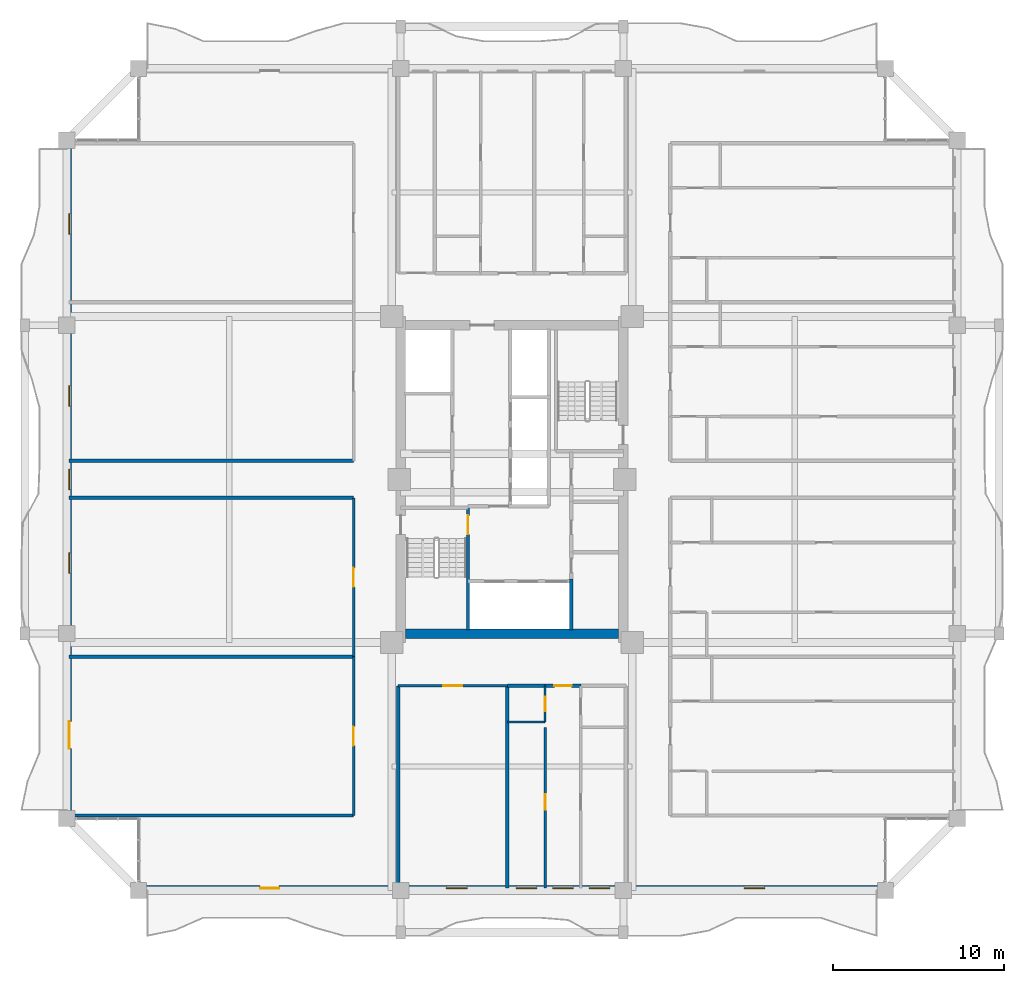
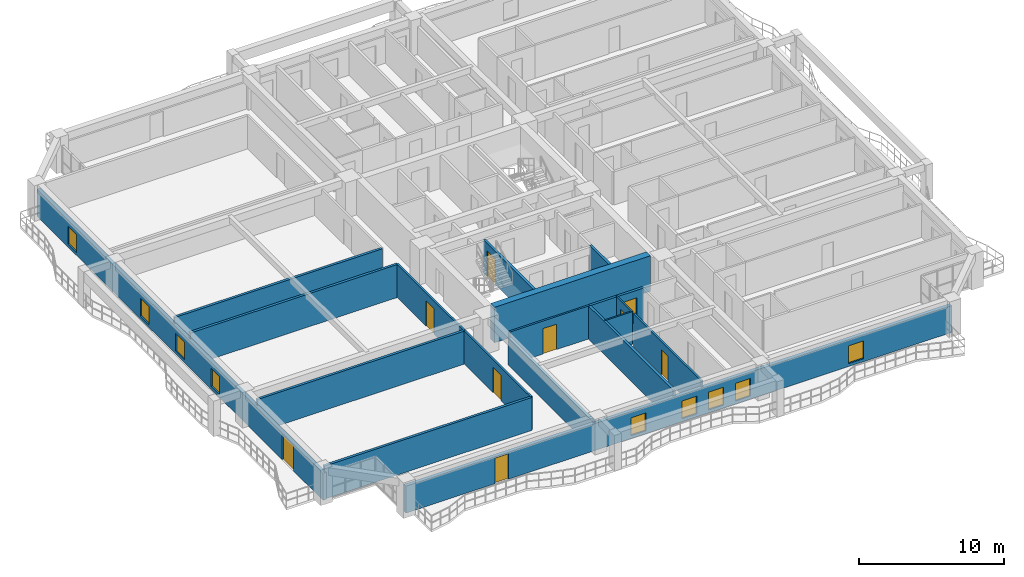
# One storey, part 14 of 24: 19 walls, 9 doors, 9 windows, 18 openings.
"""IFC4 building model written with IfcOpenShell, lengths in metres."""

from ifc_helpers import new_model, si_unit, direction, frame, frame_2d, origin, place, context, subcontext, project, spatial, rectangle, extrude, source, transform, mapped, material, layer, layer_set, type_object, element, fill, save


model = new_model("IFC4")

# Units and contexts
model_context = context("Model", 3, precision=1e-05, world=origin(), true_north=direction((0.0, 1.0)))
body_context = subcontext(model_context, "Body", "Model", "MODEL_VIEW")
ifc_project = project(units=[si_unit("LENGTHUNIT", "METRE"), si_unit("AREAUNIT", "SQUARE_METRE"), si_unit("VOLUMEUNIT", "CUBIC_METRE"), si_unit("PLANEANGLEUNIT", "RADIAN"), si_unit("MASSUNIT", "GRAM", prefix="KILO")], contexts=[model_context])

# Site, building, storey
site_placement = place(None, origin())
site = spatial("IfcSite", under=ifc_project, at=site_placement, CompositionType="ELEMENT")
building_placement = place(site_placement, origin())
building = spatial("IfcBuilding", under=site, at=building_placement, Name="Saelheon Loggia Tower", CompositionType="ELEMENT")
storey_placement = place(building_placement, frame((0.0, 0.0, 98.85009765625)))
storey = spatial("IfcBuildingStorey", under=building, at=storey_placement, Name="L31", CompositionType="ELEMENT", Elevation=98.85009765625)

# Wall
ifc_material_1 = material(Name="Concrete C50/60", Category="concrete")
ifc_layer_1 = layer(ifc_material_1, 0.550048828125)
ifc_layer_set_1 = layer_set([ifc_layer_1], Name="Concrete C50/60")
wall_type_1 = type_object("IfcWallType", Name="Wall_CoreShear_550", PredefinedType="SHEAR", material=ifc_layer_set_1)
wall_1_placement = place(storey_placement, frame((31.77490234375, 18.0, 0.0), z_axis=(0.0, 0.0, 1.0), x_axis=(1.0, 0.0, 0.0)))
element("IfcWall", 1, at=wall_1_placement, inside=storey, type_object=wall_type_1, Name="L31 Core Shear Wall South", PredefinedType="SHEAR", context=body_context, shape_type="SweptSolid", body=[
    extrude(rectangle(XDim=12.4501953125, YDim=0.550048828125, at=frame_2d((6.22509765625, 0.0))), origin(), (0.0, 0.0, 1.0), 3.0),
])

# Wall, openings, windows, door
ifc_material_2 = material(Name="Architectural Precast Concrete C40/50", Category="concrete")
ifc_layer_2 = layer(ifc_material_2, 0.280029296875)
ifc_layer_set_2 = layer_set([ifc_layer_2], Name="Architectural Precast Concrete C40/50")
wall_type_2 = type_object("IfcWallType", Name="Wall_Ext_Loggia_280", PredefinedType="SOLIDWALL", material=ifc_layer_set_2)
wall_2_placement = place(storey_placement, frame((16.199951171875, 3.139892578125, 0.0), z_axis=(0.0, 0.0, 1.0), x_axis=(1.0, 0.0, 0.0)))
wall_2 = element("IfcWall", 2, at=wall_2_placement, inside=storey, type_object=wall_type_2, Name="L31 South Loggia Inner Wall", PredefinedType="SOLIDWALL", context=body_context, shape_type="SweptSolid", body=[
    extrude(rectangle(XDim=43.60009765625, YDim=0.280029296875, at=frame_2d((21.800048828125, 0.0))), origin(), (0.0, 0.0, 1.0), 2.27978515625),
])
opening_1_placement = place(wall_2_placement, frame((8.2001953125, 0.0, 0.0), z_axis=(0.0, 0.0, 1.0), x_axis=(-1.0, 0.0, 0.0)))
opening_1 = element("IfcOpeningElement", 3, at=opening_1_placement, cuts=wall_2, Name="Opening TD1", PredefinedType="OPENING", context=body_context, shape_type="SweptSolid", body=[
    extrude(rectangle(XDim=1.10009765625, YDim=2.14990234375, at=frame_2d((0.550048828125, 1.074951171875))), frame((0.0, 0.152099609375, 0.0), z_axis=(0.0, -1.0, 0.0), x_axis=(1.0, 0.0, 0.0)), (0.0, 0.0, 1.0), 0.303955078125),
])
opening_2_placement = place(wall_2_placement, frame((17.974609375, 0.0, 0.25)))
opening_2 = element("IfcOpeningElement", 4, at=opening_2_placement, cuts=wall_2, Name="Opening WN-03", PredefinedType="OPENING", context=body_context, shape_type="SweptSolid", body=[
    extrude(rectangle(XDim=1.199951171875, YDim=1.5, at=frame_2d((0.60009765625, 0.75))), frame((0.0, 0.152099609375, 0.0), z_axis=(0.0, -1.0, 0.0), x_axis=(1.0, 0.0, 0.0)), (0.0, 0.0, 1.0), 0.303955078125),
])
opening_3_placement = place(wall_2_placement, frame((22.033935546875, 0.0, 0.25)))
opening_3 = element("IfcOpeningElement", 5, at=opening_3_placement, cuts=wall_2, Name="Opening WN-03", PredefinedType="OPENING", context=body_context, shape_type="SweptSolid", body=[
    extrude(rectangle(XDim=1.199951171875, YDim=1.5, at=frame_2d((0.60009765625, 0.75))), frame((0.0, 0.152099609375, 0.0), z_axis=(0.0, -1.0, 0.0), x_axis=(1.0, 0.0, 0.0)), (0.0, 0.0, 1.0), 0.303955078125),
])
opening_4_placement = place(wall_2_placement, frame((24.177978515625, 0.0, 0.25)))
opening_4 = element("IfcOpeningElement", 6, at=opening_4_placement, cuts=wall_2, Name="Opening WN-03", PredefinedType="OPENING", context=body_context, shape_type="SweptSolid", body=[
    extrude(rectangle(XDim=1.199951171875, YDim=1.5, at=frame_2d((0.60009765625, 0.75))), frame((0.0, 0.152099609375, 0.0), z_axis=(0.0, -1.0, 0.0), x_axis=(1.0, 0.0, 0.0)), (0.0, 0.0, 1.0), 0.303955078125),
])
opening_5_placement = place(wall_2_placement, frame((26.303466796875, 0.0, 0.25)))
opening_5 = element("IfcOpeningElement", 7, at=opening_5_placement, cuts=wall_2, Name="Opening WN-03", PredefinedType="OPENING", context=body_context, shape_type="SweptSolid", body=[
    extrude(rectangle(XDim=1.199951171875, YDim=1.5, at=frame_2d((0.60009765625, 0.75))), frame((0.0, 0.152099609375, 0.0), z_axis=(0.0, -1.0, 0.0), x_axis=(1.0, 0.0, 0.0)), (0.0, 0.0, 1.0), 0.303955078125),
])
opening_6_placement = place(wall_2_placement, frame((35.35009765625, 0.0, 0.25)))
opening_6 = element("IfcOpeningElement", 8, at=opening_6_placement, cuts=wall_2, Name="Opening WN-03", PredefinedType="OPENING", context=body_context, shape_type="SweptSolid", body=[
    extrude(rectangle(XDim=1.199951171875, YDim=1.5, at=frame_2d((0.60009765625, 0.75))), frame((0.0, 0.152099609375, 0.0), z_axis=(0.0, -1.0, 0.0), x_axis=(1.0, 0.0, 0.0)), (0.0, 0.0, 1.0), 0.303955078125),
])
ifc_material_3 = material(Name="Thermal-Break Aluminium and Triple Low-E Glass", Category="aluminium")
window_type = type_object("IfcWindowType", Name="Win_Bedroom_1200x1500", PartitioningType="SINGLE_PANEL", PredefinedType="WINDOW", material=ifc_material_3)
shared_shape_1 = source(origin(), body_context, "Body", "SweptSolid", [
    extrude(rectangle(XDim=1.199951171875, YDim=1.5, at=frame_2d((0.60009765625, 0.75))), frame((0.0, 0.030029296875, 0.0), z_axis=(0.0, -1.0, 0.0), x_axis=(1.0, 0.0, 0.0)), (0.0, 0.0, 1.0), 0.06005859375),
])
window_1_placement = place(opening_2_placement, origin())
window_1 = element("IfcWindow", 9, at=window_1_placement, inside=storey, type_object=window_type, Name="L31 S Dwelling Window 2", OverallHeight=1.5, OverallWidth=1.199951171875, PartitioningType="SINGLE_PANEL", PredefinedType="WINDOW", context=body_context, shape_type="MappedRepresentation", body=[
    mapped(shared_shape_1, transform((0.0, 0.0, 0.0), scale=1.0)),
])
fill(opening_2, window_1)
window_2_placement = place(opening_3_placement, origin())
window_2 = element("IfcWindow", 10, at=window_2_placement, inside=storey, type_object=window_type, Name="L31 S Dwelling Window 3", OverallHeight=1.5, OverallWidth=1.199951171875, PartitioningType="SINGLE_PANEL", PredefinedType="WINDOW", context=body_context, shape_type="MappedRepresentation", body=[
    mapped(shared_shape_1, transform((0.0, 0.0, 0.0), scale=1.0)),
])
fill(opening_3, window_2)
window_3_placement = place(opening_4_placement, origin())
window_3 = element("IfcWindow", 11, at=window_3_placement, inside=storey, type_object=window_type, Name="L31 S Dwelling Window 4", OverallHeight=1.5, OverallWidth=1.199951171875, PartitioningType="SINGLE_PANEL", PredefinedType="WINDOW", context=body_context, shape_type="MappedRepresentation", body=[
    mapped(shared_shape_1, transform((0.0, 0.0, 0.0), scale=1.0)),
])
fill(opening_4, window_3)
window_4_placement = place(opening_5_placement, origin())
window_4 = element("IfcWindow", 12, at=window_4_placement, inside=storey, type_object=window_type, Name="L31 S Dwelling Window 5", OverallHeight=1.5, OverallWidth=1.199951171875, PartitioningType="SINGLE_PANEL", PredefinedType="WINDOW", context=body_context, shape_type="MappedRepresentation", body=[
    mapped(shared_shape_1, transform((0.0, 0.0, 0.0), scale=1.0)),
])
fill(opening_5, window_4)
window_5_placement = place(opening_6_placement, origin())
window_5 = element("IfcWindow", 13, at=window_5_placement, inside=storey, type_object=window_type, Name="L31 S Dwelling Window 6", OverallHeight=1.5, OverallWidth=1.199951171875, PartitioningType="SINGLE_PANEL", PredefinedType="WINDOW", context=body_context, shape_type="MappedRepresentation", body=[
    mapped(shared_shape_1, transform((0.0, 0.0, 0.0), scale=1.0)),
])
fill(opening_6, window_5)
ifc_material_4 = material(Name="Thermal-Break Aluminium Glazed Door", Category="aluminium")
door_type_1 = type_object("IfcDoorType", Name="Door_Terrace_TD1", OperationType="NOTDEFINED", PredefinedType="DOOR", material=ifc_material_4)
shared_shape_2 = source(origin(), body_context, "Body", "SweptSolid", [
    extrude(rectangle(XDim=1.10009765625, YDim=2.14990234375, at=frame_2d((0.550048828125, 1.074951171875))), frame((0.0, 0.02490234375, 0.0), z_axis=(0.0, -1.0, 0.0), x_axis=(1.0, 0.0, 0.0)), (0.0, 0.0, 1.0), 0.050048828125),
])
door_1_placement = place(opening_1_placement, origin())
door_1 = element("IfcDoor", 14, at=door_1_placement, inside=storey, type_object=door_type_1, Name="L31 S Loggia Access Door", OperationType="SINGLE_SWING_LEFT", OverallHeight=2.14990234375, OverallWidth=1.10009765625, PredefinedType="DOOR", context=body_context, shape_type="MappedRepresentation", body=[
    mapped(shared_shape_2, transform((0.0, 0.0, 0.0), scale=1.0)),
])
fill(opening_1, door_1)

wall_3_placement = place(storey_placement, frame((12.139892578125, 7.199951171875, 0.0), z_axis=(0.0, 0.0, 1.0), x_axis=(0.0, 1.0, 0.0)))
wall_3 = element("IfcWall", 15, at=wall_3_placement, inside=storey, type_object=wall_type_2, Name="L31 West Loggia Inner Wall", PredefinedType="SOLIDWALL", context=body_context, shape_type="SweptSolid", body=[
    extrude(rectangle(XDim=39.60009765625, YDim=0.280029296875, at=frame_2d((19.800048828125, 0.0))), origin(), (0.0, 0.0, 1.0), 2.27978515625),
])
opening_7_placement = place(wall_3_placement, frame((4.08251953125, 0.0, 0.0)))
opening_7 = element("IfcOpeningElement", 16, at=opening_7_placement, cuts=wall_3, Name="Opening DLG-1", PredefinedType="OPENING", context=body_context, shape_type="SweptSolid", body=[
    extrude(rectangle(XDim=1.60009765625, YDim=2.14990234375, at=frame_2d((0.800048828125, 1.074951171875))), frame((0.0, 0.152099609375, 0.0), z_axis=(0.0, -1.0, 0.0), x_axis=(1.0, 0.0, 0.0)), (0.0, 0.0, 1.0), 0.303955078125),
])
opening_8_placement = place(wall_3_placement, frame((14.3173828125, 0.0, 0.25)))
opening_8 = element("IfcOpeningElement", 17, at=opening_8_placement, cuts=wall_3, Name="Opening WN-03", PredefinedType="OPENING", context=body_context, shape_type="SweptSolid", body=[
    extrude(rectangle(XDim=1.199951171875, YDim=1.5, at=frame_2d((0.60009765625, 0.75))), frame((0.0, 0.152099609375, 0.0), z_axis=(0.0, -1.0, 0.0), x_axis=(1.0, 0.0, 0.0)), (0.0, 0.0, 1.0), 0.303955078125),
])
opening_9_placement = place(wall_3_placement, frame((19.199951171875, 0.0, 0.25)))
opening_9 = element("IfcOpeningElement", 18, at=opening_9_placement, cuts=wall_3, Name="Opening WN-03", PredefinedType="OPENING", context=body_context, shape_type="SweptSolid", body=[
    extrude(rectangle(XDim=1.199951171875, YDim=1.5, at=frame_2d((0.60009765625, 0.75))), frame((0.0, 0.152099609375, 0.0), z_axis=(0.0, -1.0, 0.0), x_axis=(1.0, 0.0, 0.0)), (0.0, 0.0, 1.0), 0.303955078125),
])
opening_10_placement = place(wall_3_placement, frame((24.08251953125, 0.0, 0.25)))
opening_10 = element("IfcOpeningElement", 19, at=opening_10_placement, cuts=wall_3, Name="Opening WN-03", PredefinedType="OPENING", context=body_context, shape_type="SweptSolid", body=[
    extrude(rectangle(XDim=1.199951171875, YDim=1.5, at=frame_2d((0.60009765625, 0.75))), frame((0.0, 0.152099609375, 0.0), z_axis=(0.0, -1.0, 0.0), x_axis=(1.0, 0.0, 0.0)), (0.0, 0.0, 1.0), 0.303955078125),
])
opening_11_placement = place(wall_3_placement, frame((34.117431640625, 0.0, 0.25)))
opening_11 = element("IfcOpeningElement", 20, at=opening_11_placement, cuts=wall_3, Name="Opening WN-03", PredefinedType="OPENING", context=body_context, shape_type="SweptSolid", body=[
    extrude(rectangle(XDim=1.199951171875, YDim=1.5, at=frame_2d((0.60009765625, 0.75))), frame((0.0, 0.152099609375, 0.0), z_axis=(0.0, -1.0, 0.0), x_axis=(1.0, 0.0, 0.0)), (0.0, 0.0, 1.0), 0.303955078125),
])
window_6_placement = place(opening_8_placement, origin())
window_6 = element("IfcWindow", 21, at=window_6_placement, inside=storey, type_object=window_type, Name="L31 W Dwelling Window 2", OverallHeight=1.5, OverallWidth=1.199951171875, PartitioningType="SINGLE_PANEL", PredefinedType="WINDOW", context=body_context, shape_type="MappedRepresentation", body=[
    mapped(shared_shape_1, transform((0.0, 0.0, 0.0), scale=1.0)),
])
fill(opening_8, window_6)
window_7_placement = place(opening_9_placement, origin())
window_7 = element("IfcWindow", 22, at=window_7_placement, inside=storey, type_object=window_type, Name="L31 W Dwelling Window 3", OverallHeight=1.5, OverallWidth=1.199951171875, PartitioningType="SINGLE_PANEL", PredefinedType="WINDOW", context=body_context, shape_type="MappedRepresentation", body=[
    mapped(shared_shape_1, transform((0.0, 0.0, 0.0), scale=1.0)),
])
fill(opening_9, window_7)
window_8_placement = place(opening_10_placement, origin())
window_8 = element("IfcWindow", 23, at=window_8_placement, inside=storey, type_object=window_type, Name="L31 W Dwelling Window 4", OverallHeight=1.5, OverallWidth=1.199951171875, PartitioningType="SINGLE_PANEL", PredefinedType="WINDOW", context=body_context, shape_type="MappedRepresentation", body=[
    mapped(shared_shape_1, transform((0.0, 0.0, 0.0), scale=1.0)),
])
fill(opening_10, window_8)
window_9_placement = place(opening_11_placement, origin())
window_9 = element("IfcWindow", 24, at=window_9_placement, inside=storey, type_object=window_type, Name="L31 W Dwelling Window 5", OverallHeight=1.5, OverallWidth=1.199951171875, PartitioningType="SINGLE_PANEL", PredefinedType="WINDOW", context=body_context, shape_type="MappedRepresentation", body=[
    mapped(shared_shape_1, transform((0.0, 0.0, 0.0), scale=1.0)),
])
fill(opening_11, window_9)
ifc_material_5 = material(Name="Thermal-Break Aluminium Sliding Glazed Door", Category="aluminium")
door_type_2 = type_object("IfcDoorType", Name="Door_LoggiaSlide_1600", OperationType="SLIDING_TO_LEFT", PredefinedType="DOOR", material=ifc_material_5)
shared_shape_3 = source(origin(), body_context, "Body", "SweptSolid", [
    extrude(rectangle(XDim=1.60009765625, YDim=2.14990234375, at=frame_2d((0.800048828125, 1.074951171875))), frame((0.0, 0.02490234375, 0.0), z_axis=(0.0, -1.0, 0.0), x_axis=(1.0, 0.0, 0.0)), (0.0, 0.0, 1.0), 0.050048828125),
])
door_2_placement = place(opening_7_placement, origin())
door_2 = element("IfcDoor", 25, at=door_2_placement, inside=storey, type_object=door_type_2, Name="L31 W Loggia Access Door", OperationType="SLIDING_TO_LEFT", OverallHeight=2.14990234375, OverallWidth=1.60009765625, PredefinedType="DOOR", context=body_context, shape_type="MappedRepresentation", body=[
    mapped(shared_shape_3, transform((0.0, 0.0, 0.0), scale=1.0)),
])
fill(opening_7, door_2)

# Wall, opening, door
ifc_material_6 = material(Name="Lightweight Autoclaved Aerated Concrete Block and Acoustic Gypsum", Category="concrete")
ifc_layer_3 = layer(ifc_material_6, 0.14990234375)
ifc_layer_set_3 = layer_set([ifc_layer_3], Name="Lightweight Autoclaved Aerated Concrete Block and Acoustic Gypsum")
wall_type_3 = type_object("IfcWallType", Name="Wall_Part_150", PredefinedType="PARTITIONING", material=ifc_layer_set_3)
wall_4_placement = place(storey_placement, frame((31.35009765625, 14.949951171875, 0.0), z_axis=(0.0, 0.0, 1.0), x_axis=(1.0, 0.0, 0.0)))
wall_4 = element("IfcWall", 26, at=wall_4_placement, inside=storey, type_object=wall_type_3, Name="L31 S Partition V03", PredefinedType="PARTITIONING", context=body_context, shape_type="SweptSolid", body=[
    extrude(rectangle(XDim=6.3837890625, YDim=0.14990234375, at=frame_2d((3.19189453125, 0.0))), origin(), (0.0, 0.0, 1.0), 2.789794921875),
])
opening_12_placement = place(wall_4_placement, frame((2.64208984375, 0.0, 0.0)))
opening_12 = element("IfcOpeningElement", 27, at=opening_12_placement, cuts=wall_4, Name="Opening D-FD2", PredefinedType="OPENING", context=body_context, shape_type="SweptSolid", body=[
    extrude(rectangle(XDim=1.10009765625, YDim=2.14990234375, at=frame_2d((0.550048828125, 1.074951171875))), frame((0.0, 0.0869140625, 0.0), z_axis=(0.0, -1.0, 0.0), x_axis=(1.0, 0.0, 0.0)), (0.0, 0.0, 1.0), 0.173828125),
])
ifc_material_7 = material(Name="Galvanised Steel Fire Door", Category="steel")
door_type_3 = type_object("IfcDoorType", Name="Door_Fire_FD60_1100", OperationType="NOTDEFINED", PredefinedType="DOOR", material=ifc_material_7)
door_3_placement = place(opening_12_placement, origin())
door_3 = element("IfcDoor", 28, at=door_3_placement, inside=storey, type_object=door_type_3, Name="L31 Community Reading Library Door A", OperationType="SINGLE_SWING_LEFT", OverallHeight=2.14990234375, OverallWidth=1.10009765625, PredefinedType="DOOR", context=body_context, shape_type="MappedRepresentation", body=[
    mapped(shared_shape_2, transform((0.0, 0.0, 0.0), scale=1.0)),
])
fill(opening_12, door_3)

wall_5_placement = place(storey_placement, frame((39.93408203125, 12.530029296875, 0.0), z_axis=(0.0, 0.0, 1.0), x_axis=(0.0, -1.0, 0.0)))
wall_5 = element("IfcWall", 29, at=wall_5_placement, inside=storey, type_object=wall_type_3, Name="L31 S Partition U11", PredefinedType="PARTITIONING", context=body_context, shape_type="SweptSolid", body=[
    extrude(rectangle(XDim=9.380126953125, YDim=0.14990234375, at=frame_2d((4.68994140625, 0.0))), origin(), (0.0, 0.0, 1.0), 2.789794921875),
])
opening_13_placement = place(wall_5_placement, frame((3.90673828125, 0.0, 0.0)))
opening_13 = element("IfcOpeningElement", 30, at=opening_13_placement, cuts=wall_5, Name="Opening D-IN2", PredefinedType="OPENING", context=body_context, shape_type="SweptSolid", body=[
    extrude(rectangle(XDim=0.89990234375, YDim=2.10009765625, at=frame_2d((0.449951171875, 1.050048828125))), frame((0.0, 0.0869140625, 0.0), z_axis=(0.0, -1.0, 0.0), x_axis=(1.0, 0.0, 0.0)), (0.0, 0.0, 1.0), 0.173828125),
])
ifc_material_8 = material(Name="Engineered Oak Flush Door", Category="timber")
door_type_4 = type_object("IfcDoorType", Name="Door_Int_900", OperationType="NOTDEFINED", PredefinedType="DOOR", material=ifc_material_8)
shared_shape_4 = source(origin(), body_context, "Body", "SweptSolid", [
    extrude(rectangle(XDim=0.89990234375, YDim=2.10009765625, at=frame_2d((0.449951171875, 1.050048828125))), frame((0.0, 0.02490234375, 0.0), z_axis=(0.0, -1.0, 0.0), x_axis=(1.0, 0.0, 0.0)), (0.0, 0.0, 1.0), 0.050048828125),
])
door_4_placement = place(opening_13_placement, origin())
door_4 = element("IfcDoor", 31, at=door_4_placement, inside=storey, type_object=door_type_4, Name="Unit U01 Kitchen Door", OperationType="SINGLE_SWING_RIGHT", OverallHeight=2.10009765625, OverallWidth=0.89990234375, PredefinedType="DOOR", context=body_context, shape_type="MappedRepresentation", body=[
    mapped(shared_shape_4, transform((0.0, 0.0, 0.0), scale=1.0)),
])
fill(opening_13, door_4)

wall_6_placement = place(storey_placement, frame((28.75, 7.3798828125, 0.0), z_axis=(0.0, 0.0, 1.0), x_axis=(0.0, 1.0, 0.0)))
wall_6 = element("IfcWall", 32, at=wall_6_placement, inside=storey, type_object=wall_type_3, Name="L31 WS Partition V03", PredefinedType="PARTITIONING", context=body_context, shape_type="SweptSolid", body=[
    extrude(rectangle(XDim=9.27001953125, YDim=0.14990234375, at=frame_2d((4.635009765625, 0.0))), origin(), (0.0, 0.0, 1.0), 2.789794921875),
])
opening_14_placement = place(wall_6_placement, frame((4.0849609375, 0.0, 0.0)))
opening_14 = element("IfcOpeningElement", 33, at=opening_14_placement, cuts=wall_6, Name="Opening D-FD2", PredefinedType="OPENING", context=body_context, shape_type="SweptSolid", body=[
    extrude(rectangle(XDim=1.10009765625, YDim=2.14990234375, at=frame_2d((0.550048828125, 1.074951171875))), frame((0.0, 0.0869140625, 0.0), z_axis=(0.0, -1.0, 0.0), x_axis=(1.0, 0.0, 0.0)), (0.0, 0.0, 1.0), 0.173828125),
])
door_5_placement = place(opening_14_placement, origin())
door_5 = element("IfcDoor", 34, at=door_5_placement, inside=storey, type_object=door_type_3, Name="L31 Resident Seminar and Study Hall Door A", OperationType="SINGLE_SWING_RIGHT", OverallHeight=2.14990234375, OverallWidth=1.10009765625, PredefinedType="DOOR", context=body_context, shape_type="MappedRepresentation", body=[
    mapped(shared_shape_2, transform((0.0, 0.0, 0.0), scale=1.0)),
])
fill(opening_14, door_5)

wall_7_placement = place(storey_placement, frame((28.75, 16.64990234375, 0.0), z_axis=(0.0, 0.0, 1.0), x_axis=(0.0, 1.0, 0.0)))
wall_7 = element("IfcWall", 35, at=wall_7_placement, inside=storey, type_object=wall_type_3, Name="L31 WS Partition V05", PredefinedType="PARTITIONING", context=body_context, shape_type="SweptSolid", body=[
    extrude(rectangle(XDim=9.27001953125, YDim=0.14990234375, at=frame_2d((4.635009765625, 0.0))), origin(), (0.0, 0.0, 1.0), 2.789794921875),
])
opening_15_placement = place(wall_7_placement, frame((4.0849609375, 0.0, 0.0)))
opening_15 = element("IfcOpeningElement", 36, at=opening_15_placement, cuts=wall_7, Name="Opening D-FD2", PredefinedType="OPENING", context=body_context, shape_type="SweptSolid", body=[
    extrude(rectangle(XDim=1.10009765625, YDim=2.14990234375, at=frame_2d((0.550048828125, 1.074951171875))), frame((0.0, 0.0869140625, 0.0), z_axis=(0.0, -1.0, 0.0), x_axis=(1.0, 0.0, 0.0)), (0.0, 0.0, 1.0), 0.173828125),
])
door_6_placement = place(opening_15_placement, origin())
door_6 = element("IfcDoor", 37, at=door_6_placement, inside=storey, type_object=door_type_3, Name="L31 Resident Seminar and Study Hall Door A", OperationType="SINGLE_SWING_LEFT", OverallHeight=2.14990234375, OverallWidth=1.10009765625, PredefinedType="DOOR", context=body_context, shape_type="MappedRepresentation", body=[
    mapped(shared_shape_2, transform((0.0, 0.0, 0.0), scale=1.0)),
])
fill(opening_15, door_6)

# Walls
ifc_material_9 = material(Name="Double Acoustic Stud and Fireboard Partition", Category="gypsum")
ifc_layer_4 = layer(ifc_material_9, 0.199951171875)
ifc_layer_set_4 = layer_set([ifc_layer_4], Name="Double Acoustic Stud and Fireboard Partition")
wall_type_4 = type_object("IfcWallType", Name="Wall_Party_200", PredefinedType="PARTITIONING", material=ifc_layer_set_4)
wall_8_placement = place(storey_placement, frame((31.35009765625, 14.949951171875, 0.0), z_axis=(0.0, 0.0, 1.0), x_axis=(0.0, -1.0, 0.0)))
element("IfcWall", 38, at=wall_8_placement, inside=storey, type_object=wall_type_4, Name="L31 S Partition U01", PredefinedType="PARTITIONING", context=body_context, shape_type="SweptSolid", body=[
    extrude(rectangle(XDim=11.800048828125, YDim=0.199951171875, at=frame_2d((5.89990234375, 0.0))), origin(), (0.0, 0.0, 1.0), 2.33984375),
])
wall_9_placement = place(storey_placement, frame((37.73388671875, 14.949951171875, 0.0), z_axis=(0.0, 0.0, 1.0), x_axis=(0.0, -1.0, 0.0)))
element("IfcWall", 39, at=wall_9_placement, inside=storey, type_object=wall_type_4, Name="L31 S Partition U04", PredefinedType="PARTITIONING", context=body_context, shape_type="SweptSolid", body=[
    extrude(rectangle(XDim=11.800048828125, YDim=0.199951171875, at=frame_2d((5.89990234375, 0.0))), origin(), (0.0, 0.0, 1.0), 2.789794921875),
])
wall_10_placement = place(storey_placement, frame((37.73388671875, 14.949951171875, 0.0), z_axis=(0.0, 0.0, 1.0), x_axis=(1.0, 0.0, 0.0)))
element("IfcWall", 40, at=wall_10_placement, inside=storey, type_object=wall_type_4, Name="L31 S Partition V05", PredefinedType="PARTITIONING", context=body_context, shape_type="SweptSolid", body=[
    extrude(rectangle(XDim=2.2001953125, YDim=0.199951171875, at=frame_2d((1.10009765625, 0.0))), origin(), (0.0, 0.0, 1.0), 2.789794921875),
])

# Wall, opening, door
wall_11_placement = place(storey_placement, frame((39.93408203125, 14.949951171875, 0.0), z_axis=(0.0, 0.0, 1.0), x_axis=(1.0, 0.0, 0.0)))
wall_11 = element("IfcWall", 41, at=wall_11_placement, inside=storey, type_object=wall_type_4, Name="L31 S Partition V06", PredefinedType="PARTITIONING", context=body_context, shape_type="SweptSolid", body=[
    extrude(rectangle(XDim=2.087890625, YDim=0.199951171875, at=frame_2d((1.0439453125, 0.0))), origin(), (0.0, 0.0, 1.0), 2.789794921875),
])
opening_16_placement = place(wall_11_placement, frame((0.5439453125, 0.0, 0.0)))
opening_16 = element("IfcOpeningElement", 42, at=opening_16_placement, cuts=wall_11, Name="Opening D-FD1", PredefinedType="OPENING", context=body_context, shape_type="SweptSolid", body=[
    extrude(rectangle(XDim=1.0, YDim=2.14990234375, at=frame_2d((0.5, 1.074951171875))), frame((0.0, 0.112060546875, 0.0), z_axis=(0.0, -1.0, 0.0), x_axis=(1.0, 0.0, 0.0)), (0.0, 0.0, 1.0), 0.223876953125),
])
ifc_material_10 = material(Name="Fire-Rated Engineered Timber Entrance Door", Category="wood")
door_type_5 = type_object("IfcDoorType", Name="Door_Flat_FD30S", OperationType="NOTDEFINED", PredefinedType="DOOR", material=ifc_material_10)
shared_shape_5 = source(origin(), body_context, "Body", "SweptSolid", [
    extrude(rectangle(XDim=1.0, YDim=2.14990234375, at=frame_2d((0.5, 1.074951171875))), frame((0.0, 0.02490234375, 0.0), z_axis=(0.0, -1.0, 0.0), x_axis=(1.0, 0.0, 0.0)), (0.0, 0.0, 1.0), 0.050048828125),
])
door_7_placement = place(opening_16_placement, origin())
door_7 = element("IfcDoor", 43, at=door_7_placement, inside=storey, type_object=door_type_5, Name="Unit U01 Entrance Door", OperationType="SINGLE_SWING_RIGHT", OverallHeight=2.14990234375, OverallWidth=1.0, PredefinedType="DOOR", context=body_context, shape_type="MappedRepresentation", body=[
    mapped(shared_shape_5, transform((0.0, 0.0, 0.0), scale=1.0)),
])
fill(opening_16, door_7)

# Walls
for number, where, z_axis, x_axis, name in (
    (44, (28.75, 7.3798828125, 0.0), (0.0, 0.0, 1.0), (-1.0, 0.0, 0.0), "L31 WS Partition U01"),
    (45, (28.75, 25.919921875, 0.0), (0.0, 0.0, 1.0), (-1.0, 0.0, 0.0), "L31 WS Partition U02"),
    (46, (28.75, 16.64990234375, 0.0), (0.0, 0.0, 1.0), (-1.0, 0.0, 0.0), "L31 WS Partition U04"),
    (47, (28.75, 28.080078125, 0.0), (0.0, 0.0, 1.0), (-1.0, 0.0, 0.0), "L31 WN Partition U01"),
):
    element("IfcWall", number, at=place(storey_placement, frame(where, z_axis=z_axis, x_axis=x_axis)), inside=storey, type_object=wall_type_4, Name=name, PredefinedType="PARTITIONING", context=body_context, shape_type="SweptSolid", body=[
        extrude(rectangle(XDim=16.60009765625, YDim=0.199951171875, at=frame_2d((8.300048828125, 0.0))), origin(), (0.0, 0.0, 1.0), 2.789794921875),
    ])
ifc_material_11 = material(Name="Concrete C40/50", Category="concrete")
ifc_layer_5 = layer(ifc_material_11, 0.199951171875)
ifc_layer_set_5 = layer_set([ifc_layer_5], Name="Concrete C40/50")
wall_type_5 = type_object("IfcWallType", Name="Wall_Shaft_200", PredefinedType="PARTITIONING", material=ifc_layer_set_5)
wall_12_placement = place(storey_placement, frame((41.449951171875, 18.219970703125, 0.0), z_axis=(0.0, 0.0, 1.0), x_axis=(0.0, 1.0, 0.0)))
element("IfcWall", 48, at=wall_12_placement, inside=storey, type_object=wall_type_5, Name="CW-INT-L31-BOH-W0", PredefinedType="PARTITIONING", context=body_context, shape_type="SweptSolid", body=[
    extrude(rectangle(XDim=2.9599609375, YDim=0.199951171875, at=frame_2d((1.47998046875, 0.0))), origin(), (0.0, 0.0, 1.0), 2.789794921875),
])

# Wall, opening, door
ifc_material_12 = material(Name="Concrete C45/55", Category="concrete")
ifc_layer_6 = layer(ifc_material_12, 0.199951171875)
ifc_layer_set_6 = layer_set([ifc_layer_6], Name="Concrete C45/55")
wall_type_6 = type_object("IfcWallType", Name="Wall_StairShaft_RC200", PredefinedType="SOLIDWALL", material=ifc_layer_set_6)
wall_13_placement = place(storey_placement, frame((35.429931640625, 18.219970703125, 0.0), z_axis=(0.0, 0.0, 1.0), x_axis=(0.0, 1.0, 0.0)))
wall_13 = element("IfcWall", 49, at=wall_13_placement, inside=storey, type_object=wall_type_6, Name="L31 Stair ST1 Shaft Wall", PredefinedType="SOLIDWALL", context=body_context, shape_type="SweptSolid", body=[
    extrude(rectangle(XDim=7.219970703125, YDim=0.199951171875, at=frame_2d((3.60986328125, 0.0))), origin(), (0.0, 0.0, 1.0), 2.789794921875),
])
opening_17_placement = place(wall_13_placement, frame((6.68017578125, 0.0, 0.0), z_axis=(0.0, 0.0, 1.0), x_axis=(-1.0, 0.0, 0.0)))
opening_17 = element("IfcOpeningElement", 50, at=opening_17_placement, cuts=wall_13, Name="Opening D-FD2", PredefinedType="OPENING", context=body_context, shape_type="SweptSolid", body=[
    extrude(rectangle(XDim=1.10009765625, YDim=2.14990234375, at=frame_2d((0.550048828125, 1.074951171875))), frame((0.0, 0.112060546875, 0.0), z_axis=(0.0, -1.0, 0.0), x_axis=(1.0, 0.0, 0.0)), (0.0, 0.0, 1.0), 0.223876953125),
])
door_8_placement = place(opening_17_placement, origin())
door_8 = element("IfcDoor", 51, at=door_8_placement, inside=storey, type_object=door_type_3, Name="L31 Stair ST1 Lobby Door", OperationType="SINGLE_SWING_RIGHT", OverallHeight=2.14990234375, OverallWidth=1.10009765625, PredefinedType="DOOR", context=body_context, shape_type="MappedRepresentation", body=[
    mapped(shared_shape_2, transform((0.0, 0.0, 0.0), scale=1.0)),
])
fill(opening_17, door_8)

# Wall
ifc_material_13 = material(Name="Moisture-Resistant Cement Board Partition", Category="gypsum")
ifc_layer_7 = layer(ifc_material_13, 0.1201171875)
ifc_layer_set_7 = layer_set([ifc_layer_7], Name="Moisture-Resistant Cement Board Partition")
wall_type_7 = type_object("IfcWallType", Name="Wall_WetPart_120", PredefinedType="PARTITIONING", material=ifc_layer_set_7)
wall_14_placement = place(storey_placement, frame((37.73388671875, 12.830078125, 0.0), z_axis=(0.0, 0.0, 1.0), x_axis=(1.0, 0.0, 0.0)))
element("IfcWall", 52, at=wall_14_placement, inside=storey, type_object=wall_type_7, Name="L31 S Partition V08", PredefinedType="PARTITIONING", context=body_context, shape_type="SweptSolid", body=[
    extrude(rectangle(XDim=2.2001953125, YDim=0.1201171875, at=frame_2d((1.10009765625, 0.0))), origin(), (0.0, 0.0, 1.0), 2.789794921875),
])

# Wall, opening, door
wall_15_placement = place(storey_placement, frame((39.93408203125, 14.949951171875, 0.0), z_axis=(0.0, 0.0, 1.0), x_axis=(0.0, -1.0, 0.0)))
wall_15 = element("IfcWall", 53, at=wall_15_placement, inside=storey, type_object=wall_type_7, Name="L31 S Partition U10", PredefinedType="PARTITIONING", context=body_context, shape_type="SweptSolid", body=[
    extrude(rectangle(XDim=2.119873046875, YDim=0.1201171875, at=frame_2d((1.06005859375, 0.0))), origin(), (0.0, 0.0, 1.0), 2.789794921875),
])
opening_18_placement = place(wall_15_placement, frame((0.635009765625, 0.0, 0.0)))
opening_18 = element("IfcOpeningElement", 54, at=opening_18_placement, cuts=wall_15, Name="Opening D-BT1", PredefinedType="OPENING", context=body_context, shape_type="SweptSolid", body=[
    extrude(rectangle(XDim=0.85009765625, YDim=2.050048828125, at=frame_2d((0.425048828125, 1.02490234375))), frame((0.0, 0.072021484375, 0.0), z_axis=(0.0, -1.0, 0.0), x_axis=(1.0, 0.0, 0.0)), (0.0, 0.0, 1.0), 0.14404296875),
])
ifc_material_14 = material(Name="Moisture-Resistant Laminate Timber Door", Category="wood")
door_type_6 = type_object("IfcDoorType", Name="Door_Bath_850", OperationType="NOTDEFINED", PredefinedType="DOOR", material=ifc_material_14)
shared_shape_6 = source(origin(), body_context, "Body", "SweptSolid", [
    extrude(rectangle(XDim=0.85009765625, YDim=2.050048828125, at=frame_2d((0.425048828125, 1.02490234375))), frame((0.0, 0.02490234375, 0.0), z_axis=(0.0, -1.0, 0.0), x_axis=(1.0, 0.0, 0.0)), (0.0, 0.0, 1.0), 0.050048828125),
])
door_9_placement = place(opening_18_placement, origin())
door_9 = element("IfcDoor", 55, at=door_9_placement, inside=storey, type_object=door_type_6, Name="Unit U01 Bathroom Door", OperationType="SINGLE_SWING_LEFT", OverallHeight=2.050048828125, OverallWidth=0.85009765625, PredefinedType="DOOR", context=body_context, shape_type="MappedRepresentation", body=[
    mapped(shared_shape_6, transform((0.0, 0.0, 0.0), scale=1.0)),
])
fill(opening_18, door_9)

save(model, "model.ifc")
